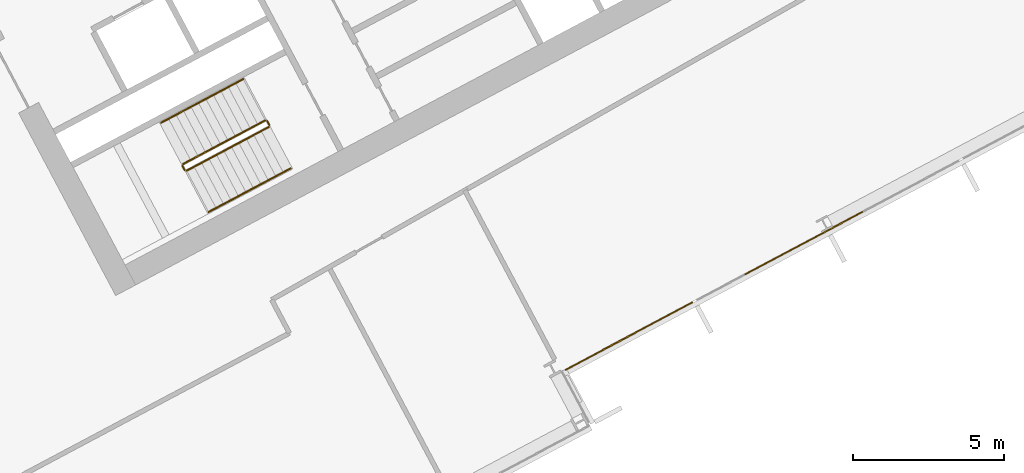
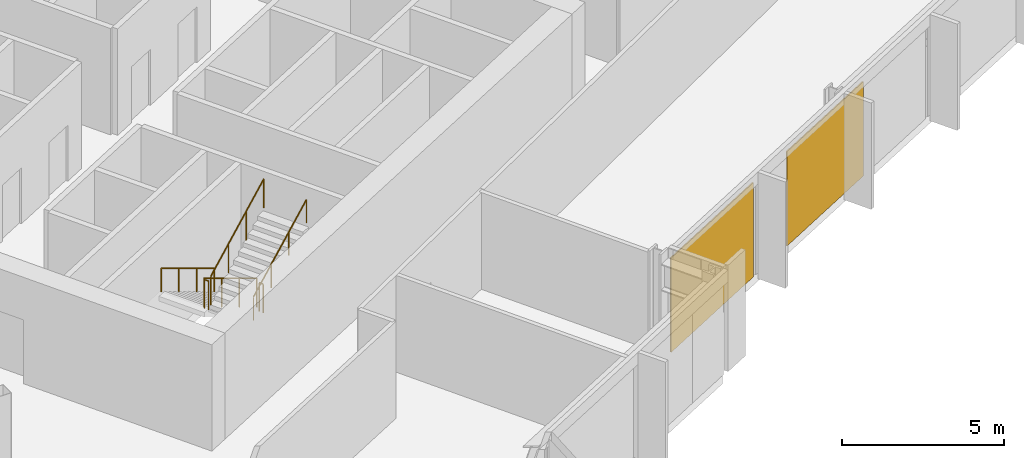
# One storey, part 25 of 28: 6 railings, 2 coverings, 1 element without a shape of its own.
"""IFC4 building model written with IfcOpenShell, lengths in metres."""

from ifc_helpers import new_model, si_unit, direction, frame, origin, origin_2d, place, context, subcontext, project, spatial, polyline, rectangle, outline, extrude, material, layer, layer_set, type_object, element, aggregate, save


model = new_model("IFC4")

# Units and contexts
model_context = context("Model", 3, precision=1e-05, world=origin(), true_north=direction((0.0, 1.0)))
body_context = subcontext(model_context, "Body", "Model", "MODEL_VIEW")
ifc_project = project(units=[si_unit("LENGTHUNIT", "METRE"), si_unit("AREAUNIT", "SQUARE_METRE"), si_unit("VOLUMEUNIT", "CUBIC_METRE"), si_unit("PLANEANGLEUNIT", "RADIAN"), si_unit("MASSUNIT", "GRAM", prefix="KILO")], contexts=[model_context])

# Site, building, storey
site_placement = place(None, origin())
site = spatial("IfcSite", under=ifc_project, at=site_placement, CompositionType="ELEMENT")
building_placement = place(site_placement, origin())
building = spatial("IfcBuilding", under=site, at=building_placement, Name="Cormorant Relay Tower", CompositionType="ELEMENT")
storey_placement = place(building_placement, frame((0.0, 0.0, 150.199951171875)))
storey = spatial("IfcBuildingStorey", under=building, at=storey_placement, Name="L31", CompositionType="ELEMENT", Elevation=150.199951171875)

# Curtain wall, coverings
ifc_material_1 = material(Name="Aluminium 6063-T6 anodised bronze", Category="aluminium")
ifc_layer_1 = layer(ifc_material_1, 0.199951171875)
ifc_layer_set_1 = layer_set([ifc_layer_1], Name="CW1 unitised bronze curtain wall with vertical fins")
curtain_wall_type = type_object("IfcCurtainWallType", Name="CW1 unitised bronze curtain wall with vertical fins", PredefinedType="NOTDEFINED", material=ifc_layer_set_1)
curtain_wall_placement = place(storey_placement, origin())
curtain_wall = element("IfcCurtainWall", 1, at=curtain_wall_placement, inside=storey, type_object=curtain_wall_type, Name="CW1 curtain wall 4", PredefinedType="NOTDEFINED")
ifc_material_2 = material(Name="Pale bronze anodised aluminium insulated panel", Category="aluminium")
ifc_layer_2 = layer(ifc_material_2, 0.0400390625)
ifc_layer_set_2 = layer_set([ifc_layer_2], Name="CW1 pale bronze insulated panel 40")
covering_type = type_object("IfcCoveringType", Name="CW1 pale bronze insulated panel 40", PredefinedType="CLADDING", material=ifc_layer_set_2)
covering_1_placement = place(storey_placement, frame((35.892333984375, -2.457275390625, 0.0), z_axis=(0.0, 0.0, 1.0), x_axis=(0.882947592859, 0.469471562786, 0.0)))
covering_1 = element("IfcCovering", 2, at=covering_1_placement, type_object=covering_type, Name="CW1 panel S00", PredefinedType="CLADDING", context=body_context, shape_type="SweptSolid", body=[
    extrude(rectangle(XDim=4.77490234375, YDim=0.0400390625, at=origin_2d()), origin(), (0.0, 0.0, 1.0), 3.550048828125),
])
covering_2_placement = place(storey_placement, frame((41.686767578125, 0.623779296875, 0.0), z_axis=(0.0, 0.0, 1.0), x_axis=(0.882947592859, 0.469471562786, 0.0)))
covering_2 = element("IfcCovering", 3, at=covering_2_placement, type_object=covering_type, Name="CW1 panel S02", PredefinedType="CLADDING", context=body_context, shape_type="SweptSolid", body=[
    extrude(rectangle(XDim=4.449951171875, YDim=0.0400390625, at=origin_2d()), origin(), (0.0, 0.0, 1.0), 3.550048828125),
])
aggregate(curtain_wall, [covering_1, covering_2])

# Railings
ifc_material_3 = material(Name="Steel ASTM A572 Grade 50 (Fy 345 MPa)", Category="steel")
railing_type_1 = type_object("IfcRailingType", Name="Stair guard 1100", PredefinedType="GUARDRAIL", material=ifc_material_3)
railing_1_placement = place(storey_placement, frame((23.83837890625, 4.6904296875, 0.166748046875)))
element("IfcRailing", 4, at=railing_1_placement, inside=storey, type_object=railing_type_1, Name="L31 B1 stair guard 1", PredefinedType="GUARDRAIL", context=body_context, shape_type="SweptSolid", body=[
    extrude(outline(polyline([(0.022216796875, 0.00927734375), (0.00927734375, 0.022216796875), (-0.00927734375, 0.022216796875), (-0.022216796875, 0.00927734375), (-0.022216796875, -0.00927734375), (-0.00927734375, -0.022216796875), (0.00927734375, -0.022216796875), (0.022216796875, -0.00927734375), (0.022216796875, 0.00927734375)])), frame((0.0, 0.0, 1.076171875), z_axis=(-0.758713656843, -0.403434867536, 0.511462505542), x_axis=(0.469489399267, -0.882938108802, 0.0)), (0.0, 0.0, 1.0), 3.584228515625),
    extrude(outline(polyline([(0.019287109375, 0.008056640625), (0.008056640625, 0.019287109375), (-0.008056640625, 0.019287109375), (-0.019287109375, 0.008056640625), (-0.019287109375, -0.008056640625), (-0.008056640625, -0.019287109375), (0.008056640625, -0.019287109375), (0.019287109375, -0.008056640625), (0.019287109375, 0.008056640625)])), origin(), (0.0, 0.0, 1.0), 1.052001953125),
    extrude(outline(polyline([(0.019287109375, 0.008056640625), (0.008056640625, 0.019287109375), (-0.008056640625, 0.019287109375), (-0.019287109375, 0.008056640625), (-0.019287109375, -0.008056640625), (-0.008056640625, -0.019287109375), (0.008056640625, -0.019287109375), (0.019287109375, -0.008056640625), (0.019287109375, 0.008056640625)])), frame((-0.906494140625, -0.48193359375, 0.611083984375)), (0.0, 0.0, 1.0), 1.052001953125),
    extrude(outline(polyline([(0.019287109375, 0.008056640625), (0.008056640625, 0.019287109375), (-0.008056640625, 0.019287109375), (-0.019287109375, 0.008056640625), (-0.019287109375, -0.008056640625), (-0.008056640625, -0.019287109375), (0.008056640625, -0.019287109375), (0.019287109375, -0.008056640625), (0.019287109375, 0.008056640625)])), frame((-1.81298828125, -0.964111328125, 1.22216796875)), (0.0, 0.0, 1.0), 1.052001953125),
    extrude(outline(polyline([(0.019287109375, 0.008056640625), (0.008056640625, 0.019287109375), (-0.008056640625, 0.019287109375), (-0.019287109375, 0.008056640625), (-0.019287109375, -0.008056640625), (-0.008056640625, -0.019287109375), (0.008056640625, -0.019287109375), (0.019287109375, -0.008056640625), (0.019287109375, 0.008056640625)])), frame((-2.719482421875, -1.446044921875, 1.833251953125)), (0.0, 0.0, 1.0), 1.052001953125),
])
railing_2_placement = place(storey_placement, frame((21.09814453125, 3.1767578125, 2.0)))
element("IfcRailing", 5, at=railing_2_placement, inside=storey, type_object=railing_type_1, Name="L31 B1 stair guard 2", PredefinedType="GUARDRAIL", context=body_context, shape_type="SweptSolid", body=[
    extrude(outline(polyline([(0.022216796875, 0.00927734375), (0.00927734375, 0.022216796875), (-0.00927734375, 0.022216796875), (-0.022216796875, 0.00927734375), (-0.022216796875, -0.00927734375), (-0.00927734375, -0.022216796875), (0.00927734375, -0.022216796875), (0.022216796875, -0.00927734375), (0.022216796875, 0.00927734375)])), frame((0.0, 0.0, 1.076171875), z_axis=(0.469234640946, -0.883073525669, 0.0), x_axis=(0.883073525669, 0.469234640946, 0.0)), (0.0, 0.0, 1.0), 0.14990234375),
    extrude(outline(polyline([(0.019287109375, 0.008056640625), (0.008056640625, 0.019287109375), (-0.008056640625, 0.019287109375), (-0.019287109375, 0.008056640625), (-0.019287109375, -0.008056640625), (-0.008056640625, -0.019287109375), (0.008056640625, -0.019287109375), (0.019287109375, -0.008056640625), (0.019287109375, 0.008056640625)])), origin(), (0.0, 0.0, 1.0), 1.052001953125),
    extrude(outline(polyline([(0.019287109375, 0.008056640625), (0.008056640625, 0.019287109375), (-0.008056640625, 0.019287109375), (-0.019287109375, 0.008056640625), (-0.019287109375, -0.008056640625), (-0.008056640625, -0.019287109375), (0.008056640625, -0.019287109375), (0.019287109375, -0.008056640625), (0.019287109375, 0.008056640625)])), frame((0.0703125, -0.13232421875, 0.0)), (0.0, 0.0, 1.0), 1.052001953125),
])
railing_3_placement = place(storey_placement, frame((21.236083984375, 3.023681640625, 2.166748046875)))
element("IfcRailing", 6, at=railing_3_placement, inside=storey, type_object=railing_type_1, Name="L31 B1 stair guard 3", PredefinedType="GUARDRAIL", context=body_context, shape_type="SweptSolid", body=[
    extrude(outline(polyline([(0.022216796875, 0.00927734375), (0.00927734375, 0.022216796875), (-0.00927734375, 0.022216796875), (-0.022216796875, 0.00927734375), (-0.022216796875, -0.00927734375), (-0.00927734375, -0.022216796875), (0.00927734375, -0.022216796875), (0.022216796875, -0.00927734375), (0.022216796875, 0.00927734375)])), frame((0.0, 0.0, 1.076171875), z_axis=(0.758713656843, 0.403434867536, 0.511462505542), x_axis=(-0.469489399267, 0.882938108802, 0.0)), (0.0, 0.0, 1.0), 3.584228515625),
    extrude(outline(polyline([(0.019287109375, 0.008056640625), (0.008056640625, 0.019287109375), (-0.008056640625, 0.019287109375), (-0.019287109375, 0.008056640625), (-0.019287109375, -0.008056640625), (-0.008056640625, -0.019287109375), (0.008056640625, -0.019287109375), (0.019287109375, -0.008056640625), (0.019287109375, 0.008056640625)])), origin(), (0.0, 0.0, 1.0), 1.052001953125),
    extrude(outline(polyline([(0.019287109375, 0.008056640625), (0.008056640625, 0.019287109375), (-0.008056640625, 0.019287109375), (-0.019287109375, 0.008056640625), (-0.019287109375, -0.008056640625), (-0.008056640625, -0.019287109375), (0.008056640625, -0.019287109375), (0.019287109375, -0.008056640625), (0.019287109375, 0.008056640625)])), frame((0.906494140625, 0.48193359375, 0.611083984375)), (0.0, 0.0, 1.0), 1.052001953125),
    extrude(outline(polyline([(0.019287109375, 0.008056640625), (0.008056640625, 0.019287109375), (-0.008056640625, 0.019287109375), (-0.019287109375, 0.008056640625), (-0.019287109375, -0.008056640625), (-0.008056640625, -0.019287109375), (0.008056640625, -0.019287109375), (0.019287109375, -0.008056640625), (0.019287109375, 0.008056640625)])), frame((1.81298828125, 0.964111328125, 1.22216796875)), (0.0, 0.0, 1.0), 1.052001953125),
    extrude(outline(polyline([(0.019287109375, 0.008056640625), (0.008056640625, 0.019287109375), (-0.008056640625, 0.019287109375), (-0.019287109375, 0.008056640625), (-0.019287109375, -0.008056640625), (-0.008056640625, -0.019287109375), (0.008056640625, -0.019287109375), (0.019287109375, -0.008056640625), (0.019287109375, 0.008056640625)])), frame((2.719482421875, 1.446044921875, 1.833251953125)), (0.0, 0.0, 1.0), 1.052001953125),
])
railing_4_placement = place(storey_placement, frame((23.906005859375, 4.669677734375, 0.0)))
element("IfcRailing", 7, at=railing_4_placement, inside=storey, type_object=railing_type_1, Name="L31 B1 stair guard 4", PredefinedType="GUARDRAIL", context=body_context, shape_type="SweptSolid", body=[
    extrude(outline(polyline([(0.022216796875, 0.00927734375), (0.00927734375, 0.022216796875), (-0.00927734375, 0.022216796875), (-0.022216796875, 0.00927734375), (-0.022216796875, -0.00927734375), (-0.00927734375, -0.022216796875), (0.00927734375, -0.022216796875), (0.022216796875, -0.00927734375), (0.022216796875, 0.00927734375)])), frame((0.0, 0.0, 1.076171875), z_axis=(0.469234640946, -0.883073525669, 0.0), x_axis=(0.883073525669, 0.469234640946, 0.0)), (0.0, 0.0, 1.0), 0.14990234375),
    extrude(outline(polyline([(0.019287109375, 0.008056640625), (0.008056640625, 0.019287109375), (-0.008056640625, 0.019287109375), (-0.019287109375, 0.008056640625), (-0.019287109375, -0.008056640625), (-0.008056640625, -0.019287109375), (0.008056640625, -0.019287109375), (0.019287109375, -0.008056640625), (0.019287109375, 0.008056640625)])), origin(), (0.0, 0.0, 1.0), 1.052001953125),
    extrude(outline(polyline([(0.019287109375, 0.008056640625), (0.008056640625, 0.019287109375), (-0.008056640625, 0.019287109375), (-0.019287109375, 0.008056640625), (-0.019287109375, -0.008056640625), (-0.008056640625, -0.019287109375), (0.008056640625, -0.019287109375), (0.019287109375, -0.008056640625), (0.019287109375, 0.008056640625)])), frame((0.0703125, -0.13232421875, 0.0)), (0.0, 0.0, 1.0), 1.052001953125),
])
ifc_material_4 = material(Name="Steel ASTM A572 Grade 50 (Fy 345 MPa)", Category="steel")
railing_type_2 = type_object("IfcRailingType", Name="Stair handrail 900", PredefinedType="HANDRAIL", material=ifc_material_4)
railing_5_placement = place(storey_placement, frame((23.110595703125, 6.05908203125, 0.166748046875)))
element("IfcRailing", 8, at=railing_5_placement, inside=storey, type_object=railing_type_2, Name="L31 B1 stair handrail 1", PredefinedType="HANDRAIL", context=body_context, shape_type="SweptSolid", body=[
    extrude(outline(polyline([(0.022216796875, 0.00927734375), (0.00927734375, 0.022216796875), (-0.00927734375, 0.022216796875), (-0.022216796875, 0.00927734375), (-0.022216796875, -0.00927734375), (-0.00927734375, -0.022216796875), (0.00927734375, -0.022216796875), (0.022216796875, -0.00927734375), (0.022216796875, 0.00927734375)])), frame((0.0, 0.0, 0.8759765625), z_axis=(-0.758713656843, -0.403434867536, 0.511462505542), x_axis=(0.469489399267, -0.882938108802, 0.0)), (0.0, 0.0, 1.0), 3.584228515625),
    extrude(outline(polyline([(0.019287109375, 0.008056640625), (0.008056640625, 0.019287109375), (-0.008056640625, 0.019287109375), (-0.019287109375, 0.008056640625), (-0.019287109375, -0.008056640625), (-0.008056640625, -0.019287109375), (0.008056640625, -0.019287109375), (0.019287109375, -0.008056640625), (0.019287109375, 0.008056640625)])), origin(), (0.0, 0.0, 1.0), 0.851806640625),
    extrude(outline(polyline([(0.019287109375, 0.008056640625), (0.008056640625, 0.019287109375), (-0.008056640625, 0.019287109375), (-0.019287109375, 0.008056640625), (-0.019287109375, -0.008056640625), (-0.008056640625, -0.019287109375), (0.008056640625, -0.019287109375), (0.019287109375, -0.008056640625), (0.019287109375, 0.008056640625)])), frame((-0.906494140625, -0.48193359375, 0.611083984375)), (0.0, 0.0, 1.0), 0.851806640625),
    extrude(outline(polyline([(0.019287109375, 0.008056640625), (0.008056640625, 0.019287109375), (-0.008056640625, 0.019287109375), (-0.019287109375, 0.008056640625), (-0.019287109375, -0.008056640625), (-0.008056640625, -0.019287109375), (0.008056640625, -0.019287109375), (0.019287109375, -0.008056640625), (0.019287109375, 0.008056640625)])), frame((-1.81298828125, -0.964111328125, 1.22216796875)), (0.0, 0.0, 1.0), 0.851806640625),
    extrude(outline(polyline([(0.019287109375, 0.008056640625), (0.008056640625, 0.019287109375), (-0.008056640625, 0.019287109375), (-0.019287109375, 0.008056640625), (-0.019287109375, -0.008056640625), (-0.008056640625, -0.019287109375), (0.008056640625, -0.019287109375), (0.019287109375, -0.008056640625), (0.019287109375, 0.008056640625)])), frame((-2.719482421875, -1.446044921875, 1.833251953125)), (0.0, 0.0, 1.0), 0.851806640625),
])
railing_6_placement = place(storey_placement, frame((21.9638671875, 1.6552734375, 2.166748046875)))
element("IfcRailing", 9, at=railing_6_placement, inside=storey, type_object=railing_type_2, Name="L31 B1 stair handrail 2", PredefinedType="HANDRAIL", context=body_context, shape_type="SweptSolid", body=[
    extrude(outline(polyline([(0.022216796875, 0.00927734375), (0.00927734375, 0.022216796875), (-0.00927734375, 0.022216796875), (-0.022216796875, 0.00927734375), (-0.022216796875, -0.00927734375), (-0.00927734375, -0.022216796875), (0.00927734375, -0.022216796875), (0.022216796875, -0.00927734375), (0.022216796875, 0.00927734375)])), frame((0.0, 0.0, 0.8759765625), z_axis=(0.758734504837, 0.403377838015, 0.511476559549), x_axis=(-0.469427602063, 0.882970965786, 0.0)), (0.0, 0.0, 1.0), 3.584228515625),
    extrude(outline(polyline([(0.019287109375, 0.008056640625), (0.008056640625, 0.019287109375), (-0.008056640625, 0.019287109375), (-0.019287109375, 0.008056640625), (-0.019287109375, -0.008056640625), (-0.008056640625, -0.019287109375), (0.008056640625, -0.019287109375), (0.019287109375, -0.008056640625), (0.019287109375, 0.008056640625)])), origin(), (0.0, 0.0, 1.0), 0.851806640625),
    extrude(outline(polyline([(0.019287109375, 0.008056640625), (0.008056640625, 0.019287109375), (-0.008056640625, 0.019287109375), (-0.019287109375, 0.008056640625), (-0.019287109375, -0.008056640625), (-0.008056640625, -0.019287109375), (0.008056640625, -0.019287109375), (0.019287109375, -0.008056640625), (0.019287109375, 0.008056640625)])), frame((0.906494140625, 0.48193359375, 0.611083984375)), (0.0, 0.0, 1.0), 0.851806640625),
    extrude(outline(polyline([(0.019287109375, 0.008056640625), (0.008056640625, 0.019287109375), (-0.008056640625, 0.019287109375), (-0.019287109375, 0.008056640625), (-0.019287109375, -0.008056640625), (-0.008056640625, -0.019287109375), (0.008056640625, -0.019287109375), (0.019287109375, -0.008056640625), (0.019287109375, 0.008056640625)])), frame((1.81298828125, 0.9638671875, 1.22216796875)), (0.0, 0.0, 1.0), 0.851806640625),
    extrude(outline(polyline([(0.019287109375, 0.008056640625), (0.008056640625, 0.019287109375), (-0.008056640625, 0.019287109375), (-0.019287109375, 0.008056640625), (-0.019287109375, -0.008056640625), (-0.008056640625, -0.019287109375), (0.008056640625, -0.019287109375), (0.019287109375, -0.008056640625), (0.019287109375, 0.008056640625)])), frame((2.719482421875, 1.44580078125, 1.833251953125)), (0.0, 0.0, 1.0), 0.851806640625),
])

save(model, "model.ifc")
